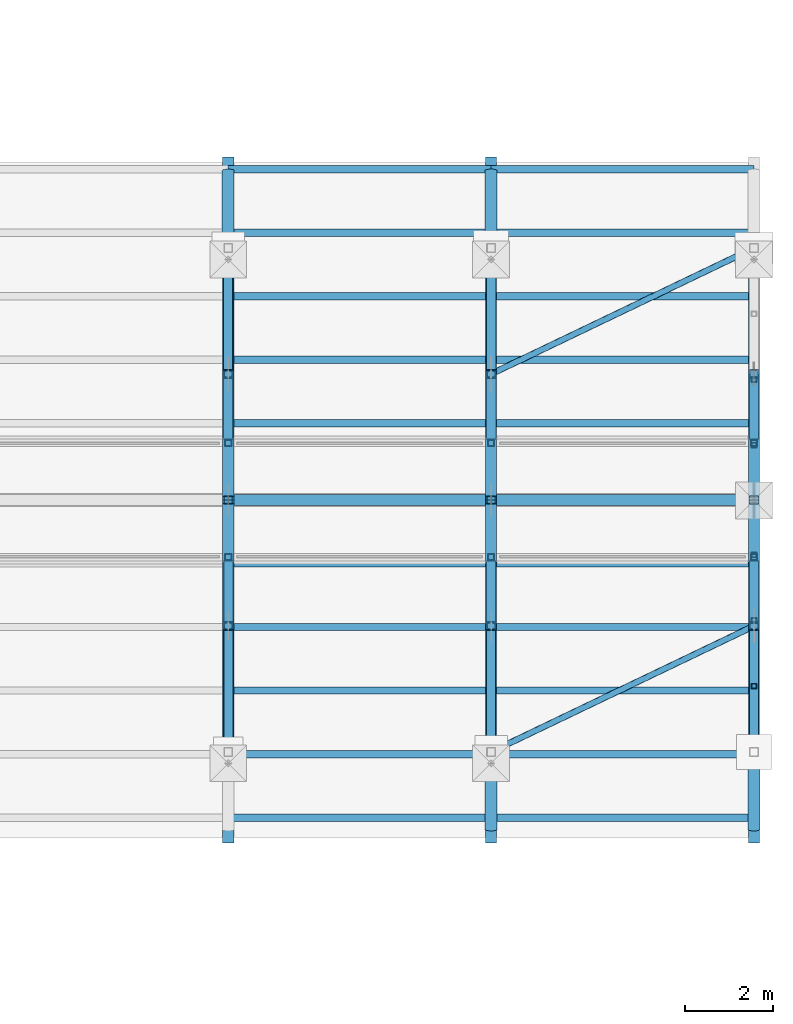
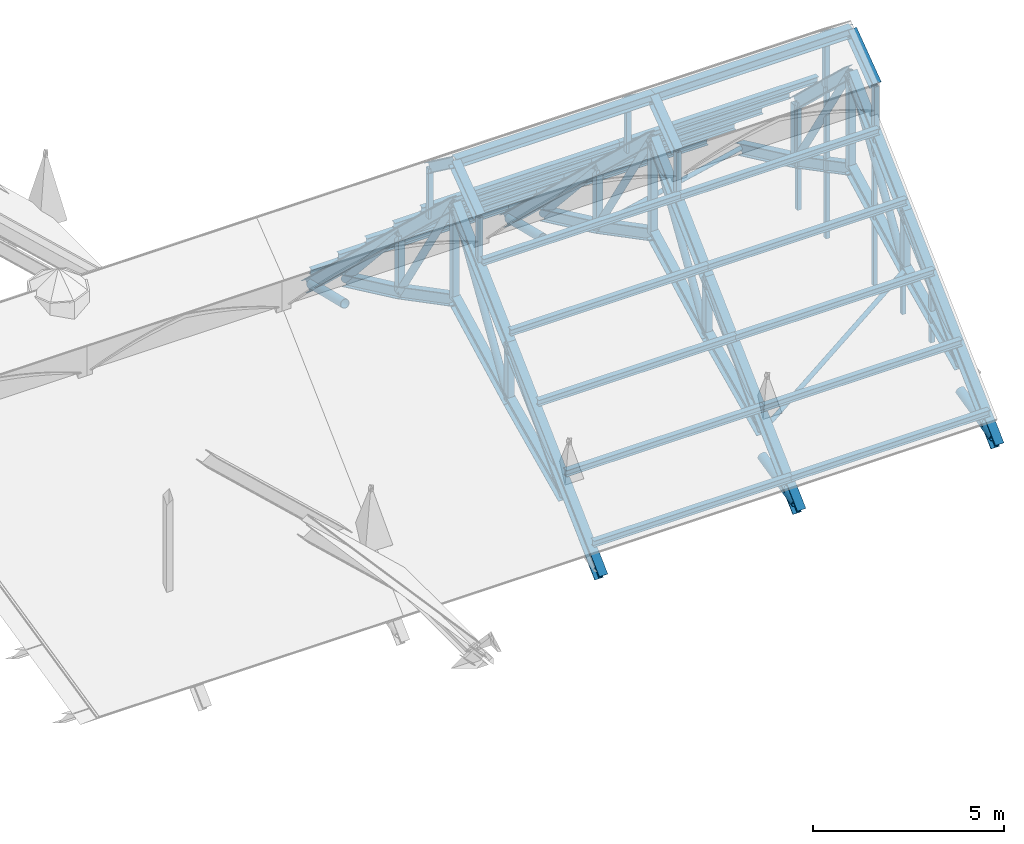
# One storey, part 10 of 33: 88 members.
"""IFC4 building model written with IfcOpenShell, lengths in metres."""

from ifc_helpers import new_model, si_unit, direction, frame, origin, origin_2d, place, context, subcontext, project, spatial, hollow_rectangle, hollow_circle, i_section, extrude, material, material_profile, profile_set, type_object, element, save


model = new_model("IFC4")

# Units and contexts
model_context = context("Model", 3, precision=1e-05, world=origin(), true_north=direction((0.0, 1.0)))
body_context = subcontext(model_context, "Body", "Model", "MODEL_VIEW")
ifc_project = project(units=[si_unit("LENGTHUNIT", "METRE"), si_unit("AREAUNIT", "SQUARE_METRE"), si_unit("VOLUMEUNIT", "CUBIC_METRE"), si_unit("PLANEANGLEUNIT", "RADIAN"), si_unit("MASSUNIT", "GRAM", prefix="KILO")], contexts=[model_context])

# Site, building, storey
site_placement = place(None, origin())
site = spatial("IfcSite", under=ifc_project, at=site_placement, CompositionType="ELEMENT")
building_placement = place(site_placement, origin())
building = spatial("IfcBuilding", under=site, at=building_placement, Name="Cumevento Cable Car Station", CompositionType="ELEMENT")
storey_placement = place(building_placement, frame((0.0, 0.0, 22.5)))
storey = spatial("IfcBuildingStorey", under=building, at=storey_placement, Name="RF", CompositionType="ELEMENT", Elevation=22.5)

# Members
ifc_material_1 = material(Name="Steel ASTM A572 Grade 50", Category="steel")
ifc_material_profile_1 = material_profile(ifc_material_1, hollow_circle(Radius=0.06982421875, WallThickness=0.008056640625, at=origin_2d()), Name="CHS139.7x8.0")
ifc_profile_set_1 = profile_set([ifc_material_profile_1], Name="Steel ASTM A572 Grade 50")
member_type_1 = type_object("IfcMemberType", Name="Framing Brace BR-02 CHS139.7x8.0", PredefinedType="BRACE", material=ifc_profile_set_1)
for number, where, z_axis, x_axis, name in (
    (1, (112.0, 45.0, 0.139892578125), (0.883803033724, 0.423488953659, 0.198870067403), (-0.432120180431, 0.901816028725, 0.0), "Boarding Hall Roof Wind Brace #334"),
    (2, (112.0, 53.625, 1.489990234375), (0.883803033724, 0.423488953659, -0.198870067403), (-0.432120180431, 0.901816028725, 0.0), "Boarding Hall Roof Wind Brace #335"),
):
    element("IfcMember", number, at=place(storey_placement, frame(where, z_axis=z_axis, x_axis=x_axis)), inside=storey, type_object=member_type_1, Name=name, PredefinedType="BRACE", context=body_context, shape_type="SweptSolid", body=[
        extrude(hollow_circle(Radius=0.06982421875, WallThickness=0.008056640625, at=origin_2d()), origin(), (0.0, 0.0, 1.0), 6.788818359375),
    ])
ifc_material_2 = material(Name="Steel ASTM A572 Grade 50", Category="steel")
ifc_material_profile_2 = material_profile(ifc_material_2, hollow_circle(Radius=0.109619140625, WallThickness=0.012451171875, at=origin_2d()), Name="CHS219.1x12.5")
ifc_profile_set_2 = profile_set([ifc_material_profile_2], Name="Steel ASTM A572 Grade 50")
member_type_2 = type_object("IfcMemberType", Name="Framing Brace TD-01 CHS219.1x12.5", PredefinedType="BRACE", material=ifc_profile_set_2)
member_1_placement = place(storey_placement, frame((106.0, 45.0, 0.139892578125), z_axis=(0.0, 0.669655633009, 0.74267175332), x_axis=(-1.0, 0.0, 0.0)))
element("IfcMember", 3, at=member_1_placement, inside=storey, type_object=member_type_2, Name="Boarding Hall Vault Arch Diagonal #175", PredefinedType="BRACE", context=body_context, shape_type="SweptSolid", body=[
    extrude(hollow_circle(Radius=0.109619140625, WallThickness=0.012451171875, at=origin_2d()), origin(), (0.0, 0.0, 1.0), 4.293212890625),
])
member_2_placement = place(storey_placement, frame((106.0, 47.875, 1.489990234375), z_axis=(0.0, 0.532794069711, 0.846244928659), x_axis=(-1.0, 0.0, 0.0)))
element("IfcMember", 4, at=member_2_placement, inside=storey, type_object=member_type_2, Name="Boarding Hall Vault Arch Diagonal #176", PredefinedType="BRACE", context=body_context, shape_type="SweptSolid", body=[
    extrude(hollow_circle(Radius=0.109619140625, WallThickness=0.012451171875, at=origin_2d()), origin(), (0.0, 0.0, 1.0), 5.39599609375),
])
member_3_placement = place(storey_placement, frame((106.0, 56.5, 0.139892578125), z_axis=(0.0, -0.669655633009, 0.74267175332), x_axis=(1.0, 0.0, 0.0)))
element("IfcMember", 5, at=member_3_placement, inside=storey, type_object=member_type_2, Name="Boarding Hall Vault Arch Diagonal #177", PredefinedType="BRACE", context=body_context, shape_type="SweptSolid", body=[
    extrude(hollow_circle(Radius=0.109619140625, WallThickness=0.012451171875, at=origin_2d()), origin(), (0.0, 0.0, 1.0), 4.293212890625),
])
member_4_placement = place(storey_placement, frame((106.0, 53.625, 1.489990234375), z_axis=(0.0, -0.532794069711, 0.846244928659), x_axis=(1.0, 0.0, 0.0)))
element("IfcMember", 6, at=member_4_placement, inside=storey, type_object=member_type_2, Name="Boarding Hall Vault Arch Diagonal #178", PredefinedType="BRACE", context=body_context, shape_type="SweptSolid", body=[
    extrude(hollow_circle(Radius=0.109619140625, WallThickness=0.012451171875, at=origin_2d()), origin(), (0.0, 0.0, 1.0), 5.39599609375),
])
member_5_placement = place(storey_placement, frame((112.0, 45.0, 0.139892578125), z_axis=(0.0, 0.669655633009, 0.74267175332), x_axis=(-1.0, 0.0, 0.0)))
element("IfcMember", 7, at=member_5_placement, inside=storey, type_object=member_type_2, Name="Boarding Hall Vault Arch Diagonal #198", PredefinedType="BRACE", context=body_context, shape_type="SweptSolid", body=[
    extrude(hollow_circle(Radius=0.109619140625, WallThickness=0.012451171875, at=origin_2d()), origin(), (0.0, 0.0, 1.0), 4.293212890625),
])
member_6_placement = place(storey_placement, frame((112.0, 47.875, 1.489990234375), z_axis=(0.0, 0.532794069711, 0.846244928659), x_axis=(-1.0, 0.0, 0.0)))
element("IfcMember", 8, at=member_6_placement, inside=storey, type_object=member_type_2, Name="Boarding Hall Vault Arch Diagonal #199", PredefinedType="BRACE", context=body_context, shape_type="SweptSolid", body=[
    extrude(hollow_circle(Radius=0.109619140625, WallThickness=0.012451171875, at=origin_2d()), origin(), (0.0, 0.0, 1.0), 5.39599609375),
])
member_7_placement = place(storey_placement, frame((112.0, 56.5, 0.139892578125), z_axis=(0.0, -0.669655633009, 0.74267175332), x_axis=(1.0, 0.0, 0.0)))
element("IfcMember", 9, at=member_7_placement, inside=storey, type_object=member_type_2, Name="Boarding Hall Vault Arch Diagonal #200", PredefinedType="BRACE", context=body_context, shape_type="SweptSolid", body=[
    extrude(hollow_circle(Radius=0.109619140625, WallThickness=0.012451171875, at=origin_2d()), origin(), (0.0, 0.0, 1.0), 4.293212890625),
])
member_8_placement = place(storey_placement, frame((112.0, 53.625, 1.489990234375), z_axis=(0.0, -0.532794069711, 0.846244928659), x_axis=(1.0, 0.0, 0.0)))
element("IfcMember", 10, at=member_8_placement, inside=storey, type_object=member_type_2, Name="Boarding Hall Vault Arch Diagonal #201", PredefinedType="BRACE", context=body_context, shape_type="SweptSolid", body=[
    extrude(hollow_circle(Radius=0.109619140625, WallThickness=0.012451171875, at=origin_2d()), origin(), (0.0, 0.0, 1.0), 5.39599609375),
])
member_9_placement = place(storey_placement, frame((118.0, 45.0, 0.139892578125), z_axis=(0.0, 0.669655633009, 0.74267175332), x_axis=(-1.0, 0.0, 0.0)))
element("IfcMember", 11, at=member_9_placement, inside=storey, type_object=member_type_2, Name="Boarding Hall Vault Arch Diagonal #221", PredefinedType="BRACE", context=body_context, shape_type="SweptSolid", body=[
    extrude(hollow_circle(Radius=0.109619140625, WallThickness=0.012451171875, at=origin_2d()), origin(), (0.0, 0.0, 1.0), 4.293212890625),
])
for number, where, z_axis, x_axis, name in (
    (12, (118.0, 47.875, 1.489990234375), (0.0, 0.532794069711, 0.846244928659), (-1.0, 0.0, 0.0), "Boarding Hall Vault Arch Diagonal #222"),
    (13, (118.0, 53.625, 1.489990234375), (0.0, -0.532794069711, 0.846244928659), (1.0, 0.0, 0.0), "Boarding Hall Vault Arch Diagonal #224"),
):
    element("IfcMember", number, at=place(storey_placement, frame(where, z_axis=z_axis, x_axis=x_axis)), inside=storey, type_object=member_type_2, Name=name, PredefinedType="BRACE", context=body_context, shape_type="SweptSolid", body=[
        extrude(hollow_circle(Radius=0.109619140625, WallThickness=0.012451171875, at=origin_2d()), origin(), (0.0, 0.0, 1.0), 5.39599609375),
    ])
ifc_material_3 = material(Name="Steel ASTM A572 Grade 50", Category="steel")
ifc_material_profile_3 = material_profile(ifc_material_3, i_section(OverallWidth=0.257080078125, OverallDepth=0.363037109375, WebThickness=0.012939453125, FlangeThickness=0.021728515625, at=origin_2d()), Name="W360x122.0")
ifc_profile_set_3 = profile_set([ifc_material_profile_3], Name="Steel ASTM A572 Grade 50")
member_type_3 = type_object("IfcMemberType", Name="Framing Chord TC-01 W360x122.0", PredefinedType="CHORD", material=ifc_profile_set_3)
member_10_placement = place(storey_placement, frame((106.0, 43.050048828125, -1.25048828125), z_axis=(0.0, 0.725363131924, 0.688366419028), x_axis=(-1.0, 0.0, 0.0)))
element("IfcMember", 14, at=member_10_placement, inside=storey, type_object=member_type_3, Name="Boarding Hall Vault Lower Rafter S #164", PredefinedType="CHORD", context=body_context, shape_type="SweptSolid", body=[
    extrude(i_section(OverallWidth=0.257080078125, OverallDepth=0.363037109375, WebThickness=0.012939453125, FlangeThickness=0.021728515625, at=origin_2d()), origin(), (0.0, 0.0, 1.0), 6.65185546875),
])
for number, where, z_axis, x_axis, name in (
    (15, (106.0, 47.875, 3.328369140625), (0.0, 0.725405335462, 0.688321944502), (-1.0, 0.0, 0.0), "Boarding Hall Vault Upper Rafter S #165"),
    (16, (106.0, 50.75, 6.056396484375), (0.0, 0.725405335462, -0.688321944502), (-1.0, 0.0, 0.0), "Boarding Hall Vault Upper Rafter N #166"),
):
    element("IfcMember", number, at=place(storey_placement, frame(where, z_axis=z_axis, x_axis=x_axis)), inside=storey, type_object=member_type_3, Name=name, PredefinedType="CHORD", context=body_context, shape_type="SweptSolid", body=[
        extrude(i_section(OverallWidth=0.257080078125, OverallDepth=0.363037109375, WebThickness=0.012939453125, FlangeThickness=0.021728515625, at=origin_2d()), origin(), (0.0, 0.0, 1.0), 3.96337890625),
    ])
for number, where, z_axis, x_axis, name in (
    (17, (106.0, 53.625, 3.328369140625), (0.0, 0.725363131924, -0.688366419028), (-1.0, 0.0, 0.0), "Boarding Hall Vault Lower Rafter N #167"),
    (18, (112.0, 43.050048828125, -1.25048828125), (0.0, 0.725363131924, 0.688366419028), (-1.0, 0.0, 0.0), "Boarding Hall Vault Lower Rafter S #187"),
):
    element("IfcMember", number, at=place(storey_placement, frame(where, z_axis=z_axis, x_axis=x_axis)), inside=storey, type_object=member_type_3, Name=name, PredefinedType="CHORD", context=body_context, shape_type="SweptSolid", body=[
        extrude(i_section(OverallWidth=0.257080078125, OverallDepth=0.363037109375, WebThickness=0.012939453125, FlangeThickness=0.021728515625, at=origin_2d()), origin(), (0.0, 0.0, 1.0), 6.65185546875),
    ])
for number, where, z_axis, x_axis, name in (
    (19, (112.0, 47.875, 3.328369140625), (0.0, 0.725405335462, 0.688321944502), (-1.0, 0.0, 0.0), "Boarding Hall Vault Upper Rafter S #188"),
    (20, (112.0, 50.75, 6.056396484375), (0.0, 0.725405335462, -0.688321944502), (-1.0, 0.0, 0.0), "Boarding Hall Vault Upper Rafter N #189"),
):
    element("IfcMember", number, at=place(storey_placement, frame(where, z_axis=z_axis, x_axis=x_axis)), inside=storey, type_object=member_type_3, Name=name, PredefinedType="CHORD", context=body_context, shape_type="SweptSolid", body=[
        extrude(i_section(OverallWidth=0.257080078125, OverallDepth=0.363037109375, WebThickness=0.012939453125, FlangeThickness=0.021728515625, at=origin_2d()), origin(), (0.0, 0.0, 1.0), 3.96337890625),
    ])
for number, where, z_axis, x_axis, name in (
    (21, (112.0, 53.625, 3.328369140625), (0.0, 0.725363131924, -0.688366419028), (-1.0, 0.0, 0.0), "Boarding Hall Vault Lower Rafter N #190"),
    (22, (118.0, 43.050048828125, -1.25048828125), (0.0, 0.725363131924, 0.688366419028), (-1.0, 0.0, 0.0), "Boarding Hall Vault Lower Rafter S #210"),
):
    element("IfcMember", number, at=place(storey_placement, frame(where, z_axis=z_axis, x_axis=x_axis)), inside=storey, type_object=member_type_3, Name=name, PredefinedType="CHORD", context=body_context, shape_type="SweptSolid", body=[
        extrude(i_section(OverallWidth=0.257080078125, OverallDepth=0.363037109375, WebThickness=0.012939453125, FlangeThickness=0.021728515625, at=origin_2d()), origin(), (0.0, 0.0, 1.0), 6.65185546875),
    ])
for number, where, z_axis, x_axis, name in (
    (23, (118.0, 47.875, 3.328369140625), (0.0, 0.725405335462, 0.688321944502), (-1.0, 0.0, 0.0), "Boarding Hall Vault Upper Rafter S #211"),
    (24, (118.0, 50.75, 6.056396484375), (0.0, 0.725405335462, -0.688321944502), (-1.0, 0.0, 0.0), "Boarding Hall Vault Upper Rafter N #212"),
):
    element("IfcMember", number, at=place(storey_placement, frame(where, z_axis=z_axis, x_axis=x_axis)), inside=storey, type_object=member_type_3, Name=name, PredefinedType="CHORD", context=body_context, shape_type="SweptSolid", body=[
        extrude(i_section(OverallWidth=0.257080078125, OverallDepth=0.363037109375, WebThickness=0.012939453125, FlangeThickness=0.021728515625, at=origin_2d()), origin(), (0.0, 0.0, 1.0), 3.96337890625),
    ])
ifc_material_4 = material(Name="Steel ASTM A572 Grade 50", Category="steel")
ifc_material_profile_4 = material_profile(ifc_material_4, i_section(OverallWidth=0.2548828125, OverallDepth=0.35693359375, WebThickness=0.010498046875, FlangeThickness=0.018310546875, at=origin_2d()), Name="W360x101.0")
ifc_profile_set_4 = profile_set([ifc_material_profile_4], Name="Steel ASTM A572 Grade 50")
member_type_4 = type_object("IfcMemberType", Name="Framing Chord TC-02 W360x101.0", PredefinedType="CHORD", material=ifc_profile_set_4)
member_11_placement = place(storey_placement, frame((106.0, 45.0, 0.139892578125), z_axis=(0.0, 0.905163318391, 0.425063956411), x_axis=(-1.0, 0.0, 0.0)))
element("IfcMember", 25, at=member_11_placement, inside=storey, type_object=member_type_4, Name="Boarding Hall Pointed-Arch Bottom Chord #160", PredefinedType="CHORD", context=body_context, shape_type="SweptSolid", body=[
    extrude(i_section(OverallWidth=0.2548828125, OverallDepth=0.35693359375, WebThickness=0.010498046875, FlangeThickness=0.018310546875, at=origin_2d()), origin(), (0.0, 0.0, 1.0), 3.17626953125),
])
for number, where, z_axis, x_axis, name in (
    (26, (106.0, 47.875, 1.489990234375), (0.0, 0.886584846165, 0.462566006695), (-1.0, 0.0, 0.0), "Boarding Hall Pointed-Arch Bottom Chord #161"),
    (27, (106.0, 50.75, 2.989990234375), (0.0, 0.886584846165, -0.462566006695), (-1.0, 0.0, 0.0), "Boarding Hall Pointed-Arch Bottom Chord #162"),
):
    element("IfcMember", number, at=place(storey_placement, frame(where, z_axis=z_axis, x_axis=x_axis)), inside=storey, type_object=member_type_4, Name=name, PredefinedType="CHORD", context=body_context, shape_type="SweptSolid", body=[
        extrude(i_section(OverallWidth=0.2548828125, OverallDepth=0.35693359375, WebThickness=0.010498046875, FlangeThickness=0.018310546875, at=origin_2d()), origin(), (0.0, 0.0, 1.0), 3.24267578125),
    ])
for number, where, z_axis, x_axis, name in (
    (28, (106.0, 53.625, 1.489990234375), (0.0, 0.905163318391, -0.425063956411), (-1.0, 0.0, 0.0), "Boarding Hall Pointed-Arch Bottom Chord #163"),
    (29, (112.0, 45.0, 0.139892578125), (0.0, 0.905163318391, 0.425063956411), (-1.0, 0.0, 0.0), "Boarding Hall Pointed-Arch Bottom Chord #183"),
):
    element("IfcMember", number, at=place(storey_placement, frame(where, z_axis=z_axis, x_axis=x_axis)), inside=storey, type_object=member_type_4, Name=name, PredefinedType="CHORD", context=body_context, shape_type="SweptSolid", body=[
        extrude(i_section(OverallWidth=0.2548828125, OverallDepth=0.35693359375, WebThickness=0.010498046875, FlangeThickness=0.018310546875, at=origin_2d()), origin(), (0.0, 0.0, 1.0), 3.17626953125),
    ])
for number, where, z_axis, x_axis, name in (
    (30, (112.0, 47.875, 1.489990234375), (0.0, 0.886584846165, 0.462566006695), (-1.0, 0.0, 0.0), "Boarding Hall Pointed-Arch Bottom Chord #184"),
    (31, (112.0, 50.75, 2.989990234375), (0.0, 0.886584846165, -0.462566006695), (-1.0, 0.0, 0.0), "Boarding Hall Pointed-Arch Bottom Chord #185"),
):
    element("IfcMember", number, at=place(storey_placement, frame(where, z_axis=z_axis, x_axis=x_axis)), inside=storey, type_object=member_type_4, Name=name, PredefinedType="CHORD", context=body_context, shape_type="SweptSolid", body=[
        extrude(i_section(OverallWidth=0.2548828125, OverallDepth=0.35693359375, WebThickness=0.010498046875, FlangeThickness=0.018310546875, at=origin_2d()), origin(), (0.0, 0.0, 1.0), 3.24267578125),
    ])
for number, where, z_axis, x_axis, name in (
    (32, (112.0, 53.625, 1.489990234375), (0.0, 0.905163318391, -0.425063956411), (-1.0, 0.0, 0.0), "Boarding Hall Pointed-Arch Bottom Chord #186"),
    (33, (118.0, 45.0, 0.139892578125), (0.0, 0.905163318391, 0.425063956411), (-1.0, 0.0, 0.0), "Boarding Hall Pointed-Arch Bottom Chord #206"),
):
    element("IfcMember", number, at=place(storey_placement, frame(where, z_axis=z_axis, x_axis=x_axis)), inside=storey, type_object=member_type_4, Name=name, PredefinedType="CHORD", context=body_context, shape_type="SweptSolid", body=[
        extrude(i_section(OverallWidth=0.2548828125, OverallDepth=0.35693359375, WebThickness=0.010498046875, FlangeThickness=0.018310546875, at=origin_2d()), origin(), (0.0, 0.0, 1.0), 3.17626953125),
    ])
for number, where, z_axis, x_axis, name in (
    (34, (118.0, 47.875, 1.489990234375), (0.0, 0.886584846165, 0.462566006695), (-1.0, 0.0, 0.0), "Boarding Hall Pointed-Arch Bottom Chord #207"),
    (35, (118.0, 50.75, 2.989990234375), (0.0, 0.886584846165, -0.462566006695), (-1.0, 0.0, 0.0), "Boarding Hall Pointed-Arch Bottom Chord #208"),
):
    element("IfcMember", number, at=place(storey_placement, frame(where, z_axis=z_axis, x_axis=x_axis)), inside=storey, type_object=member_type_4, Name=name, PredefinedType="CHORD", context=body_context, shape_type="SweptSolid", body=[
        extrude(i_section(OverallWidth=0.2548828125, OverallDepth=0.35693359375, WebThickness=0.010498046875, FlangeThickness=0.018310546875, at=origin_2d()), origin(), (0.0, 0.0, 1.0), 3.24267578125),
    ])
member_12_placement = place(storey_placement, frame((118.0, 53.625, 1.489990234375), z_axis=(0.0, 0.905163318391, -0.425063956411), x_axis=(-1.0, 0.0, 0.0)))
element("IfcMember", 36, at=member_12_placement, inside=storey, type_object=member_type_4, Name="Boarding Hall Pointed-Arch Bottom Chord #209", PredefinedType="CHORD", context=body_context, shape_type="SweptSolid", body=[
    extrude(i_section(OverallWidth=0.2548828125, OverallDepth=0.35693359375, WebThickness=0.010498046875, FlangeThickness=0.018310546875, at=origin_2d()), origin(), (0.0, 0.0, 1.0), 3.17626953125),
])
ifc_material_5 = material(Name="Steel ASTM A572 Grade 50", Category="steel")
ifc_material_profile_5 = material_profile(ifc_material_5, i_section(OverallWidth=0.25390625, OverallDepth=0.305908203125, WebThickness=0.0087890625, FlangeThickness=0.0146484375, at=origin_2d()), Name="W310x79.0")
ifc_profile_set_5 = profile_set([ifc_material_profile_5], Name="Steel ASTM A572 Grade 50")
member_type_5 = type_object("IfcMemberType", Name="Framing Chord TC-03 W310x79.0", PredefinedType="CHORD", material=ifc_profile_set_5)
for number, where, z_axis, x_axis, name in (
    (37, (106.0, 49.449951171875, 6.419921875), (0.0, 0.804455479385, 0.594012947407), (-1.0, 0.0, 0.0), "Boarding Hall Lantern Pointed Rafter #169"),
    (38, (106.0, 52.050048828125, 6.419921875), (0.0, -0.804455479385, 0.594012947407), (1.0, 0.0, 0.0), "Boarding Hall Lantern Pointed Rafter #171"),
    (39, (112.0, 49.449951171875, 6.419921875), (0.0, 0.804455479385, 0.594012947407), (-1.0, 0.0, 0.0), "Boarding Hall Lantern Pointed Rafter #192"),
    (40, (112.0, 52.050048828125, 6.419921875), (0.0, -0.804455479385, 0.594012947407), (1.0, 0.0, 0.0), "Boarding Hall Lantern Pointed Rafter #194"),
    (41, (118.0, 49.449951171875, 6.419921875), (0.0, 0.804455479385, 0.594012947407), (-1.0, 0.0, 0.0), "Boarding Hall Lantern Pointed Rafter #215"),
    (42, (118.0, 52.050048828125, 6.419921875), (0.0, -0.804455479385, 0.594012947407), (1.0, 0.0, 0.0), "Boarding Hall Lantern Pointed Rafter #217"),
):
    element("IfcMember", number, at=place(storey_placement, frame(where, z_axis=z_axis, x_axis=x_axis)), inside=storey, type_object=member_type_5, Name=name, PredefinedType="CHORD", context=body_context, shape_type="SweptSolid", body=[
        extrude(i_section(OverallWidth=0.25390625, OverallDepth=0.305908203125, WebThickness=0.0087890625, FlangeThickness=0.0146484375, at=origin_2d()), origin(), (0.0, 0.0, 1.0), 1.615966796875),
    ])
for number, where, z_axis, x_axis, name in (
    (43, (106.0, 50.75, 7.3798828125), (1.0, 0.0, 0.0), (0.0, 1.0, 0.0), "Boarding Hall Lantern Ridge Beam #320"),
    (44, (112.0, 50.75, 7.3798828125), (1.0, 0.0, 0.0), (0.0, 1.0, 0.0), "Boarding Hall Lantern Ridge Beam #331"),
):
    element("IfcMember", number, at=place(storey_placement, frame(where, z_axis=z_axis, x_axis=x_axis)), inside=storey, type_object=member_type_5, Name=name, PredefinedType="CHORD", context=body_context, shape_type="SweptSolid", body=[
        extrude(i_section(OverallWidth=0.25390625, OverallDepth=0.305908203125, WebThickness=0.0087890625, FlangeThickness=0.0146484375, at=origin_2d()), origin(), (0.0, 0.0, 1.0), 6.0),
    ])
ifc_material_6 = material(Name="Steel ASTM A572 Grade 50", Category="steel")
ifc_material_profile_6 = material_profile(ifc_material_6, hollow_rectangle(XDim=0.199951171875, YDim=0.199951171875, WallThickness=0.012451171875, at=origin_2d()), Name="HSS200x200x12.5")
ifc_profile_set_6 = profile_set([ifc_material_profile_6], Name="Steel ASTM A572 Grade 50")
member_type_6 = type_object("IfcMemberType", Name="Framing Post TD-03 HSS200x200x12.5", PredefinedType="POST", material=ifc_profile_set_6)
member_13_placement = place(storey_placement, frame((106.0, 47.875, 1.489990234375), z_axis=(0.0, 0.0, 1.0), x_axis=(1.0, 0.0, 0.0)))
element("IfcMember", 45, at=member_13_placement, inside=storey, type_object=member_type_6, Name="Boarding Hall Truss Web Vertical #172", PredefinedType="POST", context=body_context, shape_type="SweptSolid", body=[
    extrude(hollow_rectangle(XDim=0.199951171875, YDim=0.199951171875, WallThickness=0.012451171875, at=origin_2d()), origin(), (0.0, 0.0, 1.0), 1.83837890625),
])
member_14_placement = place(storey_placement, frame((106.0, 50.75, 2.989990234375), z_axis=(0.0, 0.0, 1.0), x_axis=(1.0, 0.0, 0.0)))
element("IfcMember", 46, at=member_14_placement, inside=storey, type_object=member_type_6, Name="Boarding Hall Truss Web Vertical #173", PredefinedType="POST", context=body_context, shape_type="SweptSolid", body=[
    extrude(hollow_rectangle(XDim=0.199951171875, YDim=0.199951171875, WallThickness=0.012451171875, at=origin_2d()), origin(), (0.0, 0.0, 1.0), 3.06640625),
])
for number, where, z_axis, x_axis, name in (
    (47, (106.0, 53.625, 1.489990234375), (0.0, 0.0, 1.0), (1.0, 0.0, 0.0), "Boarding Hall Truss Web Vertical #174"),
    (48, (112.0, 47.875, 1.489990234375), (0.0, 0.0, 1.0), (1.0, 0.0, 0.0), "Boarding Hall Truss Web Vertical #195"),
):
    element("IfcMember", number, at=place(storey_placement, frame(where, z_axis=z_axis, x_axis=x_axis)), inside=storey, type_object=member_type_6, Name=name, PredefinedType="POST", context=body_context, shape_type="SweptSolid", body=[
        extrude(hollow_rectangle(XDim=0.199951171875, YDim=0.199951171875, WallThickness=0.012451171875, at=origin_2d()), origin(), (0.0, 0.0, 1.0), 1.83837890625),
    ])
member_15_placement = place(storey_placement, frame((112.0, 50.75, 2.989990234375), z_axis=(0.0, 0.0, 1.0), x_axis=(1.0, 0.0, 0.0)))
element("IfcMember", 49, at=member_15_placement, inside=storey, type_object=member_type_6, Name="Boarding Hall Truss Web Vertical #196", PredefinedType="POST", context=body_context, shape_type="SweptSolid", body=[
    extrude(hollow_rectangle(XDim=0.199951171875, YDim=0.199951171875, WallThickness=0.012451171875, at=origin_2d()), origin(), (0.0, 0.0, 1.0), 3.06640625),
])
for number, where, z_axis, x_axis, name in (
    (50, (112.0, 53.625, 1.489990234375), (0.0, 0.0, 1.0), (1.0, 0.0, 0.0), "Boarding Hall Truss Web Vertical #197"),
    (51, (118.0, 47.875, 1.489990234375), (0.0, 0.0, 1.0), (1.0, 0.0, 0.0), "Boarding Hall Truss Web Vertical #218"),
):
    element("IfcMember", number, at=place(storey_placement, frame(where, z_axis=z_axis, x_axis=x_axis)), inside=storey, type_object=member_type_6, Name=name, PredefinedType="POST", context=body_context, shape_type="SweptSolid", body=[
        extrude(hollow_rectangle(XDim=0.199951171875, YDim=0.199951171875, WallThickness=0.012451171875, at=origin_2d()), origin(), (0.0, 0.0, 1.0), 1.83837890625),
    ])
member_16_placement = place(storey_placement, frame((118.0, 50.75, 2.989990234375), z_axis=(0.0, 0.0, 1.0), x_axis=(1.0, 0.0, 0.0)))
element("IfcMember", 52, at=member_16_placement, inside=storey, type_object=member_type_6, Name="Boarding Hall Truss Web Vertical #219", PredefinedType="POST", context=body_context, shape_type="SweptSolid", body=[
    extrude(hollow_rectangle(XDim=0.199951171875, YDim=0.199951171875, WallThickness=0.012451171875, at=origin_2d()), origin(), (0.0, 0.0, 1.0), 3.06640625),
])
member_17_placement = place(storey_placement, frame((118.0, 53.625, 1.489990234375), z_axis=(0.0, 0.0, 1.0), x_axis=(1.0, 0.0, 0.0)))
element("IfcMember", 53, at=member_17_placement, inside=storey, type_object=member_type_6, Name="Boarding Hall Truss Web Vertical #220", PredefinedType="POST", context=body_context, shape_type="SweptSolid", body=[
    extrude(hollow_rectangle(XDim=0.199951171875, YDim=0.199951171875, WallThickness=0.012451171875, at=origin_2d()), origin(), (0.0, 0.0, 1.0), 1.83837890625),
])
ifc_material_7 = material(Name="Steel ASTM A572 Grade 50", Category="steel")
ifc_material_profile_7 = material_profile(ifc_material_7, hollow_rectangle(XDim=0.14990234375, YDim=0.14990234375, WallThickness=0.010009765625, at=origin_2d()), Name="HSS150x150x10.0")
ifc_profile_set_7 = profile_set([ifc_material_profile_7], Name="Steel ASTM A572 Grade 50")
member_type_7 = type_object("IfcMemberType", Name="Framing Post TD-04 HSS150x150x10.0", PredefinedType="POST", material=ifc_profile_set_7)
for number, where, z_axis, x_axis, name in (
    (54, (106.0, 49.449951171875, 4.822998046875), (0.0, 0.0, 1.0), (1.0, 0.0, 0.0), "Boarding Hall Lantern Clerestory Post #168"),
    (55, (106.0, 52.050048828125, 4.822998046875), (0.0, 0.0, 1.0), (1.0, 0.0, 0.0), "Boarding Hall Lantern Clerestory Post #170"),
    (56, (112.0, 49.449951171875, 4.822998046875), (0.0, 0.0, 1.0), (1.0, 0.0, 0.0), "Boarding Hall Lantern Clerestory Post #191"),
    (57, (112.0, 52.050048828125, 4.822998046875), (0.0, 0.0, 1.0), (1.0, 0.0, 0.0), "Boarding Hall Lantern Clerestory Post #193"),
    (58, (118.0, 49.449951171875, 4.822998046875), (0.0, 0.0, 1.0), (1.0, 0.0, 0.0), "Boarding Hall Lantern Clerestory Post #214"),
    (59, (118.0, 52.050048828125, 4.822998046875), (0.0, 0.0, 1.0), (1.0, 0.0, 0.0), "Boarding Hall Lantern Clerestory Post #216"),
):
    element("IfcMember", number, at=place(storey_placement, frame(where, z_axis=z_axis, x_axis=x_axis)), inside=storey, type_object=member_type_7, Name=name, PredefinedType="POST", context=body_context, shape_type="SweptSolid", body=[
        extrude(hollow_rectangle(XDim=0.14990234375, YDim=0.14990234375, WallThickness=0.010009765625, at=origin_2d()), origin(), (0.0, 0.0, 1.0), 1.596923828125),
    ])
ifc_material_8 = material(Name="Steel ASTM A572 Grade 50", Category="steel")
ifc_material_profile_8 = material_profile(ifc_material_8, i_section(OverallWidth=0.1650390625, OverallDepth=0.200927734375, WebThickness=0.006103515625, FlangeThickness=0.01025390625, at=origin_2d()), Name="W200x35.9")
ifc_profile_set_8 = profile_set([ifc_material_profile_8], Name="Steel ASTM A572 Grade 50")
member_type_8 = type_object("IfcMemberType", Name="Framing Purlin PR-01 W200x35.9", PredefinedType="PURLIN", material=ifc_profile_set_8)
for number, where, z_axis, x_axis, name in (
    (60, (106.0, 43.5, -0.427734375), (1.0, 0.0, 0.0), (0.0, 1.0, 0.0), "Boarding Hall Vault Purlin #310"),
    (61, (106.0, 44.949951171875, 0.9482421875), (1.0, 0.0, 0.0), (0.0, 1.0, 0.0), "Boarding Hall Vault Purlin #311"),
    (62, (106.0, 46.39990234375, 2.32421875), (1.0, 0.0, 0.0), (0.0, 1.0, 0.0), "Boarding Hall Vault Purlin #312"),
    (63, (106.0, 47.85009765625, 3.7001953125), (1.0, 0.0, 0.0), (0.0, 1.0, 0.0), "Boarding Hall Vault Purlin #313"),
    (64, (106.0, 49.300048828125, 5.076171875), (1.0, 0.0, 0.0), (0.0, 1.0, 0.0), "Boarding Hall Vault Purlin #314"),
    (65, (106.0, 52.5, 4.79150390625), (1.0, 0.0, 0.0), (0.0, 1.0, 0.0), "Boarding Hall Vault Purlin #315"),
    (66, (106.0, 53.949951171875, 3.41552734375), (1.0, 0.0, 0.0), (0.0, 1.0, 0.0), "Boarding Hall Vault Purlin #316"),
    (67, (106.0, 55.39990234375, 2.03955078125), (1.0, 0.0, 0.0), (0.0, 1.0, 0.0), "Boarding Hall Vault Purlin #317"),
    (68, (106.0, 56.85009765625, 0.66357421875), (1.0, 0.0, 0.0), (0.0, 1.0, 0.0), "Boarding Hall Vault Purlin #318"),
    (69, (106.0, 58.300048828125, -0.71240234375), (1.0, 0.0, 0.0), (0.0, 1.0, 0.0), "Boarding Hall Vault Purlin #319"),
    (70, (112.0, 43.5, -0.427734375), (1.0, 0.0, 0.0), (0.0, 1.0, 0.0), "Boarding Hall Vault Purlin #321"),
    (71, (112.0, 44.949951171875, 0.9482421875), (1.0, 0.0, 0.0), (0.0, 1.0, 0.0), "Boarding Hall Vault Purlin #322"),
    (72, (112.0, 46.39990234375, 2.32421875), (1.0, 0.0, 0.0), (0.0, 1.0, 0.0), "Boarding Hall Vault Purlin #323"),
    (73, (112.0, 47.85009765625, 3.7001953125), (1.0, 0.0, 0.0), (0.0, 1.0, 0.0), "Boarding Hall Vault Purlin #324"),
    (74, (112.0, 49.300048828125, 5.076171875), (1.0, 0.0, 0.0), (0.0, 1.0, 0.0), "Boarding Hall Vault Purlin #325"),
    (75, (112.0, 52.5, 4.79150390625), (1.0, 0.0, 0.0), (0.0, 1.0, 0.0), "Boarding Hall Vault Purlin #326"),
    (76, (112.0, 53.949951171875, 3.41552734375), (1.0, 0.0, 0.0), (0.0, 1.0, 0.0), "Boarding Hall Vault Purlin #327"),
    (77, (112.0, 55.39990234375, 2.03955078125), (1.0, 0.0, 0.0), (0.0, 1.0, 0.0), "Boarding Hall Vault Purlin #328"),
    (78, (112.0, 56.85009765625, 0.66357421875), (1.0, 0.0, 0.0), (0.0, 1.0, 0.0), "Boarding Hall Vault Purlin #329"),
    (79, (112.0, 58.300048828125, -0.71240234375), (1.0, 0.0, 0.0), (0.0, 1.0, 0.0), "Boarding Hall Vault Purlin #330"),
):
    element("IfcMember", number, at=place(storey_placement, frame(where, z_axis=z_axis, x_axis=x_axis)), inside=storey, type_object=member_type_8, Name=name, PredefinedType="PURLIN", context=body_context, shape_type="SweptSolid", body=[
        extrude(i_section(OverallWidth=0.1650390625, OverallDepth=0.200927734375, WebThickness=0.006103515625, FlangeThickness=0.01025390625, at=origin_2d()), origin(), (0.0, 0.0, 1.0), 6.0),
    ])
ifc_material_9 = material(Name="Steel ASTM A572 Grade 50", Category="steel")
ifc_material_profile_9 = material_profile(ifc_material_9, hollow_rectangle(XDim=0.1201171875, YDim=0.1201171875, WallThickness=0.008056640625, at=origin_2d()), Name="HSS120x120x8.0")
ifc_profile_set_9 = profile_set([ifc_material_profile_9], Name="Steel ASTM A572 Grade 50")
member_type_9 = type_object("IfcMemberType", Name="Framing Strut BR-03 HSS120x120x8.0", PredefinedType="STRUT", material=ifc_profile_set_9)
member_18_placement = place(storey_placement, frame((118.0, 46.5, 0.0), z_axis=(0.0, 0.0, 1.0), x_axis=(1.0, 0.0, 0.0)))
element("IfcMember", 80, at=member_18_placement, inside=storey, type_object=member_type_9, Name="Boarding Hall Gable Tracery Mullion #227", PredefinedType="STRUT", context=body_context, shape_type="SweptSolid", body=[
    extrude(hollow_rectangle(XDim=0.1201171875, YDim=0.1201171875, WallThickness=0.008056640625, at=origin_2d()), origin(), (0.0, 0.0, 1.0), 2.0234375),
])
member_19_placement = place(storey_placement, frame((118.0, 48.0, 0.0), z_axis=(0.0, 0.0, 1.0), x_axis=(1.0, 0.0, 0.0)))
element("IfcMember", 81, at=member_19_placement, inside=storey, type_object=member_type_9, Name="Boarding Hall Gable Tracery Mullion #228", PredefinedType="STRUT", context=body_context, shape_type="SweptSolid", body=[
    extrude(hollow_rectangle(XDim=0.1201171875, YDim=0.1201171875, WallThickness=0.008056640625, at=origin_2d()), origin(), (0.0, 0.0, 1.0), 3.447021484375),
])
for number, where, z_axis, x_axis, name in (
    (82, (118.0, 49.5, 0.0), (0.0, 0.0, 1.0), (1.0, 0.0, 0.0), "Boarding Hall Gable Tracery Mullion #229"),
    (83, (118.0, 52.0, 0.0), (0.0, 0.0, 1.0), (1.0, 0.0, 0.0), "Boarding Hall Gable Tracery Mullion #230"),
):
    element("IfcMember", number, at=place(storey_placement, frame(where, z_axis=z_axis, x_axis=x_axis)), inside=storey, type_object=member_type_9, Name=name, PredefinedType="STRUT", context=body_context, shape_type="SweptSolid", body=[
        extrude(hollow_rectangle(XDim=0.1201171875, YDim=0.1201171875, WallThickness=0.008056640625, at=origin_2d()), origin(), (0.0, 0.0, 1.0), 4.870361328125),
    ])
member_20_placement = place(storey_placement, frame((118.0, 53.5, 0.0), z_axis=(0.0, 0.0, 1.0), x_axis=(1.0, 0.0, 0.0)))
element("IfcMember", 84, at=member_20_placement, inside=storey, type_object=member_type_9, Name="Boarding Hall Gable Tracery Mullion #231", PredefinedType="STRUT", context=body_context, shape_type="SweptSolid", body=[
    extrude(hollow_rectangle(XDim=0.1201171875, YDim=0.1201171875, WallThickness=0.008056640625, at=origin_2d()), origin(), (0.0, 0.0, 1.0), 3.447021484375),
])
ifc_material_10 = material(Name="Steel ASTM A572 Grade 50", Category="steel")
ifc_material_profile_10 = material_profile(ifc_material_10, hollow_circle(Radius=0.136474609375, WallThickness=0.012451171875, at=origin_2d()), Name="CHS273.0x12.5")
ifc_profile_set_10 = profile_set([ifc_material_profile_10], Name="Steel ASTM A572 Grade 50")
member_type_10 = type_object("IfcMemberType", Name="Framing Strut BR-04 CHS273.0x12.5", PredefinedType="STRUT", material=ifc_profile_set_10)
for number, where, z_axis, x_axis, name in (
    (85, (106.0, 56.5, -0.64990234375), (0.0, 0.971775656246, -0.23590691793), (-1.0, 0.0, 0.0), "Boarding Hall Vault Arch Diagonal #180"),
    (86, (112.0, 45.0, -0.64990234375), (0.0, -0.971775656246, -0.23590691793), (1.0, 0.0, 0.0), "Boarding Hall Vault Arch Diagonal #202"),
    (87, (112.0, 56.5, -0.64990234375), (0.0, 0.971775656246, -0.23590691793), (-1.0, 0.0, 0.0), "Boarding Hall Vault Arch Diagonal #203"),
    (88, (118.0, 45.0, -0.64990234375), (0.0, -0.971775656246, -0.23590691793), (1.0, 0.0, 0.0), "Boarding Hall Vault Arch Diagonal #225"),
):
    element("IfcMember", number, at=place(storey_placement, frame(where, z_axis=z_axis, x_axis=x_axis)), inside=storey, type_object=member_type_10, Name=name, PredefinedType="STRUT", context=body_context, shape_type="SweptSolid", body=[
        extrude(hollow_circle(Radius=0.136474609375, WallThickness=0.012451171875, at=origin_2d()), origin(), (0.0, 0.0, 1.0), 1.821533203125),
    ])

save(model, "model.ifc")
